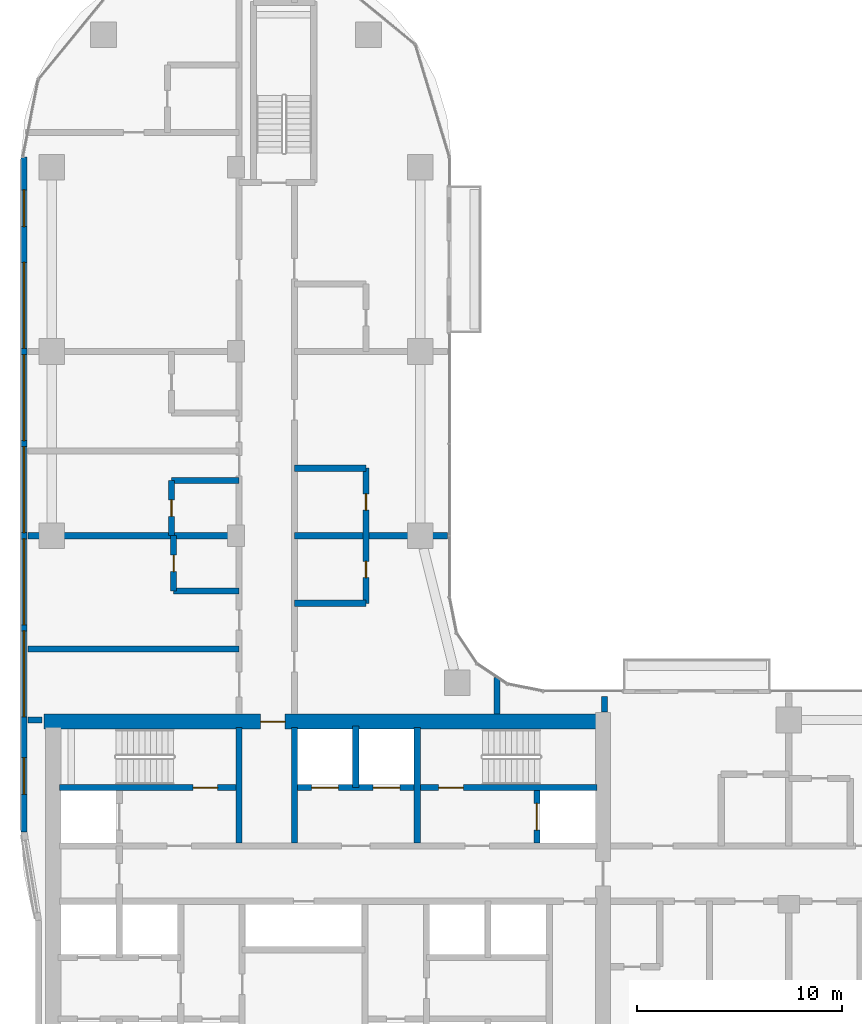
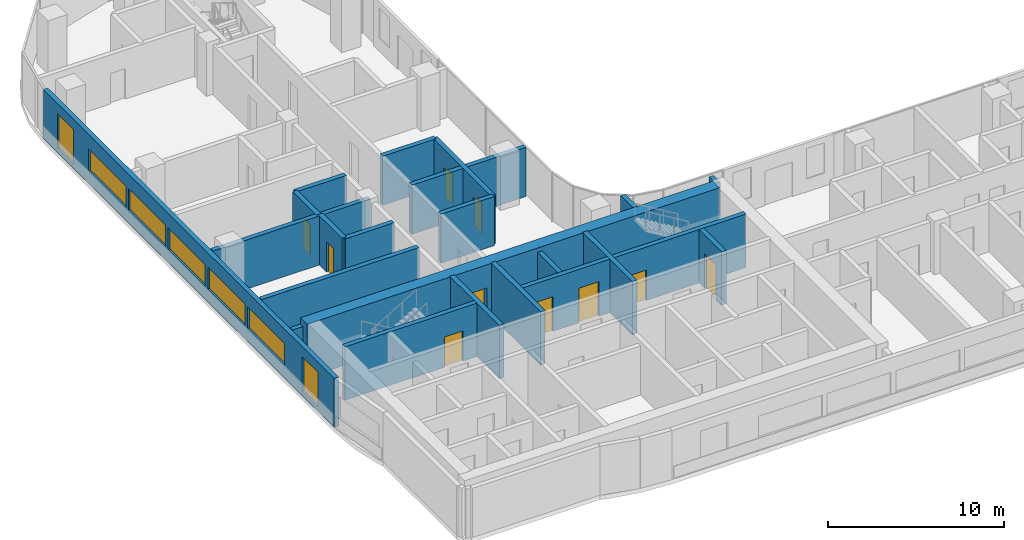
# One storey, part 8 of 21: 22 walls, 10 doors, 7 windows, 17 openings.
"""IFC4 building model written with IfcOpenShell, lengths in metres."""

from ifc_helpers import new_model, si_unit, direction, frame, frame_2d, origin, place, context, subcontext, project, spatial, rectangle, extrude, material, layer, layer_set, type_object, element, fill, save


model = new_model("IFC4")

# Units and contexts
model_context = context("Model", 3, precision=1e-05, world=origin(), true_north=direction((0.0, 1.0)))
body_context = subcontext(model_context, "Body", "Model", "MODEL_VIEW")
ifc_project = project(units=[si_unit("LENGTHUNIT", "METRE"), si_unit("AREAUNIT", "SQUARE_METRE"), si_unit("VOLUMEUNIT", "CUBIC_METRE"), si_unit("PLANEANGLEUNIT", "RADIAN"), si_unit("MASSUNIT", "GRAM", prefix="KILO")], contexts=[model_context])

# Site, building, storey
site_placement = place(None, origin())
site = spatial("IfcSite", under=ifc_project, at=site_placement, CompositionType="ELEMENT")
building_placement = place(site_placement, origin())
building = spatial("IfcBuilding", under=site, at=building_placement, Name="Ogive Portal Towers", CompositionType="ELEMENT")
storey_placement = place(building_placement, frame((0.0, 0.0, 109.300048828125)))
storey = spatial("IfcBuildingStorey", under=building, at=storey_placement, Name="L26", CompositionType="ELEMENT", Elevation=109.300048828125)

# Wall, opening, door
ifc_material_1 = material(Name="Concrete C60/75", Category="concrete")
ifc_layer_1 = layer(ifc_material_1, 0.300048828125)
ifc_layer_set_1 = layer_set([ifc_layer_1], Name="CORE WALL 300 C60")
wall_type_1 = type_object("IfcWallType", Name="CORE WALL 300 C60", PredefinedType="SHEAR", material=ifc_layer_set_1)
wall_1_placement = place(storey_placement, frame((31.875, 36.199951171875, 0.0), z_axis=(0.0, 0.0, 1.0), x_axis=(1.0, 0.0, 0.0)))
wall_1 = element("IfcWall", 1, at=wall_1_placement, inside=storey, type_object=wall_type_1, Name="Core wall Y3a L26", PredefinedType="SHEAR", context=body_context, shape_type="SweptSolid", body=[
    extrude(rectangle(XDim=8.625, YDim=0.300048828125, at=frame_2d((4.3125, 0.0))), origin(), (0.0, 0.0, 1.0), 3.699951171875),
])
opening_1_placement = place(wall_1_placement, frame((6.52490234375, 0.0, 0.0)))
opening_1 = element("IfcOpeningElement", 2, at=opening_1_placement, cuts=wall_1, Name="Opening D09-005", PredefinedType="OPENING", context=body_context, shape_type="SweptSolid", body=[
    extrude(rectangle(XDim=1.199951171875, YDim=2.10009765625, at=frame_2d((0.60009765625, 1.050048828125))), frame((0.0, 0.16015625, 0.0), z_axis=(0.0, -1.0, 0.0), x_axis=(1.0, 0.0, 0.0)), (0.0, 0.0, 1.0), 0.320068359375),
])
ifc_material_2 = material(Name="Steel fire door", Category="steel")
door_type_1 = type_object("IfcDoorType", Name="DT-SWING-1200x2100-FD90S", OperationType="SINGLE_SWING_LEFT", PredefinedType="DOOR", material=ifc_material_2)
door_1_placement = place(opening_1_placement, origin())
door_1 = element("IfcDoor", 3, at=door_1_placement, inside=storey, type_object=door_type_1, Name="Door D09-005", OperationType="SINGLE_SWING_RIGHT", OverallHeight=2.10009765625, OverallWidth=1.199951171875, PredefinedType="DOOR", context=body_context, shape_type="SweptSolid", body=[
    extrude(rectangle(XDim=1.199951171875, YDim=2.10009765625, at=frame_2d((0.60009765625, 1.050048828125))), frame((0.0, 0.02490234375, 0.0), z_axis=(0.0, -1.0, 0.0), x_axis=(1.0, 0.0, 0.0)), (0.0, 0.0, 1.0), 0.050048828125),
])
fill(opening_1, door_1)

# Wall, openings, doors
wall_2_placement = place(storey_placement, frame((43.5, 36.199951171875, 0.0), z_axis=(0.0, 0.0, 1.0), x_axis=(1.0, 0.0, 0.0)))
wall_2 = element("IfcWall", 4, at=wall_2_placement, inside=storey, type_object=wall_type_1, Name="Core wall Y3b L26", PredefinedType="SHEAR", context=body_context, shape_type="SweptSolid", body=[
    extrude(rectangle(XDim=14.625, YDim=0.300048828125, at=frame_2d((7.3125, 0.0))), origin(), (0.0, 0.0, 1.0), 3.699951171875),
])
opening_2_placement = place(wall_2_placement, frame((6.89990234375, 0.0, 0.0)))
opening_2 = element("IfcOpeningElement", 5, at=opening_2_placement, cuts=wall_2, Name="Opening D09-006", PredefinedType="OPENING", context=body_context, shape_type="SweptSolid", body=[
    extrude(rectangle(XDim=1.199951171875, YDim=2.10009765625, at=frame_2d((0.60009765625, 1.050048828125))), frame((0.0, 0.16015625, 0.0), z_axis=(0.0, -1.0, 0.0), x_axis=(1.0, 0.0, 0.0)), (0.0, 0.0, 1.0), 0.320068359375),
])
opening_3_placement = place(wall_2_placement, frame((0.699951171875, 0.0, 0.0)))
opening_3 = element("IfcOpeningElement", 6, at=opening_3_placement, cuts=wall_2, Name="Opening D09-016", PredefinedType="OPENING", context=body_context, shape_type="SweptSolid", body=[
    extrude(rectangle(XDim=1.300048828125, YDim=2.39990234375, at=frame_2d((0.64990234375, 1.199951171875))), frame((0.0, 0.16015625, 0.0), z_axis=(0.0, -1.0, 0.0), x_axis=(1.0, 0.0, 0.0)), (0.0, 0.0, 1.0), 0.320068359375),
])
opening_4_placement = place(wall_2_placement, frame((3.699951171875, 0.0, 0.0)))
opening_4 = element("IfcOpeningElement", 7, at=opening_4_placement, cuts=wall_2, Name="Opening D09-017", PredefinedType="OPENING", context=body_context, shape_type="SweptSolid", body=[
    extrude(rectangle(XDim=1.300048828125, YDim=2.39990234375, at=frame_2d((0.64990234375, 1.199951171875))), frame((0.0, 0.16015625, 0.0), z_axis=(0.0, -1.0, 0.0), x_axis=(1.0, 0.0, 0.0)), (0.0, 0.0, 1.0), 0.320068359375),
])
ifc_material_3 = material(Name="Stainless steel", Category="steel")
door_type_2 = type_object("IfcDoorType", Name="DT-LD-1300x2400", OperationType="SLIDING_TO_LEFT", PredefinedType="DOOR", material=ifc_material_3)
door_2_placement = place(opening_3_placement, origin())
door_2 = element("IfcDoor", 8, at=door_2_placement, inside=storey, type_object=door_type_2, Name="Door D09-016", OperationType="SLIDING_TO_LEFT", OverallHeight=2.39990234375, OverallWidth=1.300048828125, PredefinedType="DOOR", context=body_context, shape_type="SweptSolid", body=[
    extrude(rectangle(XDim=1.300048828125, YDim=2.39990234375, at=frame_2d((0.64990234375, 1.199951171875))), frame((0.0, 0.02490234375, 0.0), z_axis=(0.0, -1.0, 0.0), x_axis=(1.0, 0.0, 0.0)), (0.0, 0.0, 1.0), 0.050048828125),
])
fill(opening_3, door_2)
door_3_placement = place(opening_4_placement, origin())
door_3 = element("IfcDoor", 9, at=door_3_placement, inside=storey, type_object=door_type_2, Name="Door D09-017", OperationType="SLIDING_TO_LEFT", OverallHeight=2.39990234375, OverallWidth=1.300048828125, PredefinedType="DOOR", context=body_context, shape_type="SweptSolid", body=[
    extrude(rectangle(XDim=1.300048828125, YDim=2.39990234375, at=frame_2d((0.64990234375, 1.199951171875))), frame((0.0, 0.02490234375, 0.0), z_axis=(0.0, -1.0, 0.0), x_axis=(1.0, 0.0, 0.0)), (0.0, 0.0, 1.0), 0.050048828125),
])
fill(opening_4, door_3)
door_4_placement = place(opening_2_placement, origin())
door_4 = element("IfcDoor", 10, at=door_4_placement, inside=storey, type_object=door_type_1, Name="Door D09-006", OperationType="SINGLE_SWING_LEFT", OverallHeight=2.10009765625, OverallWidth=1.199951171875, PredefinedType="DOOR", context=body_context, shape_type="SweptSolid", body=[
    extrude(rectangle(XDim=1.199951171875, YDim=2.10009765625, at=frame_2d((0.60009765625, 1.050048828125))), frame((0.0, 0.02490234375, 0.0), z_axis=(0.0, -1.0, 0.0), x_axis=(1.0, 0.0, 0.0)), (0.0, 0.0, 1.0), 0.050048828125),
])
fill(opening_2, door_4)

# Walls
for number, where, z_axis, x_axis, name in (
    (11, (40.64990234375, 33.5, 0.0), (0.0, 0.0, 1.0), (0.0, 1.0, 0.0), "Core wall X6 L26"),
    (12, (43.35009765625, 33.5, 0.0), (0.0, 0.0, 1.0), (0.0, 1.0, 0.0), "Core wall X7 L26"),
    (13, (49.35009765625, 33.5, 0.0), (0.0, 0.0, 1.0), (0.0, 1.0, 0.0), "Core wall X9 L26"),
):
    element("IfcWall", number, at=place(storey_placement, frame(where, z_axis=z_axis, x_axis=x_axis)), inside=storey, type_object=wall_type_1, Name=name, PredefinedType="SHEAR", context=body_context, shape_type="SweptSolid", body=[
        extrude(rectangle(XDim=5.625, YDim=0.300048828125, at=frame_2d((2.8125, 0.0))), origin(), (0.0, 0.0, 1.0), 3.699951171875),
    ])

# Wall, opening, door
wall_3_placement = place(storey_placement, frame((55.199951171875, 33.5, 0.0), z_axis=(0.0, 0.0, 1.0), x_axis=(0.0, 1.0, 0.0)))
wall_3 = element("IfcWall", 14, at=wall_3_placement, inside=storey, type_object=wall_type_1, Name="Core wall X10 L26", PredefinedType="SHEAR", context=body_context, shape_type="SweptSolid", body=[
    extrude(rectangle(XDim=2.550048828125, YDim=0.300048828125, at=frame_2d((1.27490234375, 0.0))), origin(), (0.0, 0.0, 1.0), 3.699951171875),
])
opening_5_placement = place(wall_3_placement, frame((0.625, 0.0, 0.0)))
opening_5 = element("IfcOpeningElement", 15, at=opening_5_placement, cuts=wall_3, Name="Opening D09-019", PredefinedType="OPENING", context=body_context, shape_type="SweptSolid", body=[
    extrude(rectangle(XDim=1.300048828125, YDim=2.39990234375, at=frame_2d((0.64990234375, 1.199951171875))), frame((0.0, 0.16015625, 0.0), z_axis=(0.0, -1.0, 0.0), x_axis=(1.0, 0.0, 0.0)), (0.0, 0.0, 1.0), 0.320068359375),
])
door_5_placement = place(opening_5_placement, origin())
door_5 = element("IfcDoor", 16, at=door_5_placement, inside=storey, type_object=door_type_2, Name="Door D09-019", OperationType="SLIDING_TO_LEFT", OverallHeight=2.39990234375, OverallWidth=1.300048828125, PredefinedType="DOOR", context=body_context, shape_type="SweptSolid", body=[
    extrude(rectangle(XDim=1.300048828125, YDim=2.39990234375, at=frame_2d((0.64990234375, 1.199951171875))), frame((0.0, 0.02490234375, 0.0), z_axis=(0.0, -1.0, 0.0), x_axis=(1.0, 0.0, 0.0)), (0.0, 0.0, 1.0), 0.050048828125),
])
fill(opening_5, door_5)

ifc_layer_2 = layer(ifc_material_1, 0.75)
ifc_layer_set_2 = layer_set([ifc_layer_2], Name="CORE WALL 750 C60")
wall_type_2 = type_object("IfcWallType", Name="CORE WALL 750 C60", PredefinedType="SHEAR", material=ifc_layer_set_2)
wall_4_placement = place(storey_placement, frame((31.125, 39.425048828125, 0.0), z_axis=(0.0, 0.0, 1.0), x_axis=(1.0, 0.0, 0.0)))
wall_4 = element("IfcWall", 17, at=wall_4_placement, inside=storey, type_object=wall_type_2, Name="Core wall N L26", PredefinedType="SHEAR", context=body_context, shape_type="SweptSolid", body=[
    extrude(rectangle(XDim=27.0, YDim=0.75, at=frame_2d((13.5, 0.0))), origin(), (0.0, 0.0, 1.0), 3.699951171875),
])
opening_6_placement = place(wall_4_placement, frame((10.574951171875, 0.0, 0.0)))
opening_6 = element("IfcOpeningElement", 18, at=opening_6_placement, cuts=wall_4, Name="Opening D09-011", PredefinedType="OPENING", context=body_context, shape_type="SweptSolid", body=[
    extrude(rectangle(XDim=1.199951171875, YDim=2.10009765625, at=frame_2d((0.60009765625, 1.050048828125))), frame((0.0, 0.385009765625, 0.0), z_axis=(0.0, -1.0, 0.0), x_axis=(1.0, 0.0, 0.0)), (0.0, 0.0, 1.0), 0.77001953125),
])
door_6_placement = place(opening_6_placement, origin())
door_6 = element("IfcDoor", 19, at=door_6_placement, inside=storey, type_object=door_type_1, Name="Door D09-011", OperationType="SINGLE_SWING_RIGHT", OverallHeight=2.10009765625, OverallWidth=1.199951171875, PredefinedType="DOOR", context=body_context, shape_type="SweptSolid", body=[
    extrude(rectangle(XDim=1.199951171875, YDim=2.10009765625, at=frame_2d((0.60009765625, 1.050048828125))), frame((0.0, 0.02490234375, 0.0), z_axis=(0.0, -1.0, 0.0), x_axis=(1.0, 0.0, 0.0)), (0.0, 0.0, 1.0), 0.050048828125),
])
fill(opening_6, door_6)

# Wall, openings, windows
ifc_material_4 = material(Name="Limestone cladding on lightweight block wall", Category="masonry")
ifc_layer_3 = layer(ifc_material_4, 0.300048828125)
ifc_layer_set_3 = layer_set([ifc_layer_3], Name="EXTERNAL WALL 300 STONE")
wall_type_3 = type_object("IfcWallType", Name="EXTERNAL WALL 300 STONE", PredefinedType="SOLIDWALL", material=ifc_layer_set_3)
wall_5_placement = place(storey_placement, frame((30.14990234375, 66.9921875, 0.0), z_axis=(0.0, 0.0, 1.0), x_axis=(0.0, -1.0, 0.0)))
wall_5 = element("IfcWall", 20, at=wall_5_placement, inside=storey, type_object=wall_type_3, Name="A:L26:f24:r0:wall", PredefinedType="SOLIDWALL", context=body_context, shape_type="SweptSolid", body=[
    extrude(rectangle(XDim=32.968017578125, YDim=0.300048828125, at=frame_2d((16.48388671875, 0.0))), origin(), (0.0, 0.0, 1.0), 3.39990234375),
])
opening_7_placement = place(wall_5_placement, frame((1.595947265625, 0.0, 0.300048828125)))
opening_7 = element("IfcOpeningElement", 21, at=opening_7_placement, cuts=wall_5, Name="Opening WN10", PredefinedType="OPENING", context=body_context, shape_type="SweptSolid", body=[
    extrude(rectangle(XDim=1.800048828125, YDim=2.39990234375, at=frame_2d((0.89990234375, 1.199951171875))), frame((0.0, 0.16015625, 0.0), z_axis=(0.0, -1.0, 0.0), x_axis=(1.0, 0.0, 0.0)), (0.0, 0.0, 1.0), 0.320068359375),
])
opening_8_placement = place(wall_5_placement, frame((5.14208984375, 0.0, 0.89990234375)))
opening_8 = element("IfcOpeningElement", 22, at=opening_8_placement, cuts=wall_5, Name="Opening WN11", PredefinedType="OPENING", context=body_context, shape_type="SweptSolid", body=[
    extrude(rectangle(XDim=4.199951171875, YDim=1.5, at=frame_2d((2.10009765625, 0.75))), frame((0.0, 0.16015625, 0.0), z_axis=(0.0, -1.0, 0.0), x_axis=(1.0, 0.0, 0.0)), (0.0, 0.0, 1.0), 0.320068359375),
])
opening_9_placement = place(wall_5_placement, frame((9.64208984375, 0.0, 0.89990234375)))
opening_9 = element("IfcOpeningElement", 23, at=opening_9_placement, cuts=wall_5, Name="Opening WN11", PredefinedType="OPENING", context=body_context, shape_type="SweptSolid", body=[
    extrude(rectangle(XDim=4.199951171875, YDim=1.5, at=frame_2d((2.10009765625, 0.75))), frame((0.0, 0.16015625, 0.0), z_axis=(0.0, -1.0, 0.0), x_axis=(1.0, 0.0, 0.0)), (0.0, 0.0, 1.0), 0.320068359375),
])
opening_10_placement = place(wall_5_placement, frame((14.14208984375, 0.0, 0.89990234375)))
opening_10 = element("IfcOpeningElement", 24, at=opening_10_placement, cuts=wall_5, Name="Opening WN11", PredefinedType="OPENING", context=body_context, shape_type="SweptSolid", body=[
    extrude(rectangle(XDim=4.199951171875, YDim=1.5, at=frame_2d((2.10009765625, 0.75))), frame((0.0, 0.16015625, 0.0), z_axis=(0.0, -1.0, 0.0), x_axis=(1.0, 0.0, 0.0)), (0.0, 0.0, 1.0), 0.320068359375),
])
opening_11_placement = place(wall_5_placement, frame((18.64208984375, 0.0, 0.89990234375)))
opening_11 = element("IfcOpeningElement", 25, at=opening_11_placement, cuts=wall_5, Name="Opening WN11", PredefinedType="OPENING", context=body_context, shape_type="SweptSolid", body=[
    extrude(rectangle(XDim=4.199951171875, YDim=1.5, at=frame_2d((2.10009765625, 0.75))), frame((0.0, 0.16015625, 0.0), z_axis=(0.0, -1.0, 0.0), x_axis=(1.0, 0.0, 0.0)), (0.0, 0.0, 1.0), 0.320068359375),
])
opening_12_placement = place(wall_5_placement, frame((23.14208984375, 0.0, 0.89990234375)))
opening_12 = element("IfcOpeningElement", 26, at=opening_12_placement, cuts=wall_5, Name="Opening WN11", PredefinedType="OPENING", context=body_context, shape_type="SweptSolid", body=[
    extrude(rectangle(XDim=4.199951171875, YDim=1.5, at=frame_2d((2.10009765625, 0.75))), frame((0.0, 0.16015625, 0.0), z_axis=(0.0, -1.0, 0.0), x_axis=(1.0, 0.0, 0.0)), (0.0, 0.0, 1.0), 0.320068359375),
])
opening_13_placement = place(wall_5_placement, frame((29.330078125, 0.0, 0.300048828125)))
opening_13 = element("IfcOpeningElement", 27, at=opening_13_placement, cuts=wall_5, Name="Opening WN10", PredefinedType="OPENING", context=body_context, shape_type="SweptSolid", body=[
    extrude(rectangle(XDim=1.800048828125, YDim=2.39990234375, at=frame_2d((0.89990234375, 1.199951171875))), frame((0.0, 0.16015625, 0.0), z_axis=(0.0, -1.0, 0.0), x_axis=(1.0, 0.0, 0.0)), (0.0, 0.0, 1.0), 0.320068359375),
])
ifc_material_5 = material(Name="Glass, clear low-iron insulated glazing", Category="glass")
window_type_1 = type_object("IfcWindowType", Name="WINDOW RIBBON 4200x1500", PartitioningType="TRIPLE_PANEL_VERTICAL", PredefinedType="WINDOW", material=ifc_material_5)
window_1_placement = place(opening_8_placement, origin())
window_1 = element("IfcWindow", 28, at=window_1_placement, inside=storey, type_object=window_type_1, Name="A:L26:f24:r0:w1", OverallHeight=1.5, OverallWidth=4.199951171875, PartitioningType="SINGLE_PANEL", PredefinedType="WINDOW", context=body_context, shape_type="SweptSolid", body=[
    extrude(rectangle(XDim=4.199951171875, YDim=1.5, at=frame_2d((2.10009765625, 0.75))), frame((0.0, 0.030029296875, 0.0), z_axis=(0.0, -1.0, 0.0), x_axis=(1.0, 0.0, 0.0)), (0.0, 0.0, 1.0), 0.06005859375),
])
fill(opening_8, window_1)
window_2_placement = place(opening_9_placement, origin())
window_2 = element("IfcWindow", 29, at=window_2_placement, inside=storey, type_object=window_type_1, Name="A:L26:f24:r0:w2", OverallHeight=1.5, OverallWidth=4.199951171875, PartitioningType="SINGLE_PANEL", PredefinedType="WINDOW", context=body_context, shape_type="SweptSolid", body=[
    extrude(rectangle(XDim=4.199951171875, YDim=1.5, at=frame_2d((2.10009765625, 0.75))), frame((0.0, 0.030029296875, 0.0), z_axis=(0.0, -1.0, 0.0), x_axis=(1.0, 0.0, 0.0)), (0.0, 0.0, 1.0), 0.06005859375),
])
fill(opening_9, window_2)
window_3_placement = place(opening_10_placement, origin())
window_3 = element("IfcWindow", 30, at=window_3_placement, inside=storey, type_object=window_type_1, Name="A:L26:f24:r0:w3", OverallHeight=1.5, OverallWidth=4.199951171875, PartitioningType="SINGLE_PANEL", PredefinedType="WINDOW", context=body_context, shape_type="SweptSolid", body=[
    extrude(rectangle(XDim=4.199951171875, YDim=1.5, at=frame_2d((2.10009765625, 0.75))), frame((0.0, 0.030029296875, 0.0), z_axis=(0.0, -1.0, 0.0), x_axis=(1.0, 0.0, 0.0)), (0.0, 0.0, 1.0), 0.06005859375),
])
fill(opening_10, window_3)
window_4_placement = place(opening_11_placement, origin())
window_4 = element("IfcWindow", 31, at=window_4_placement, inside=storey, type_object=window_type_1, Name="A:L26:f24:r0:w4", OverallHeight=1.5, OverallWidth=4.199951171875, PartitioningType="SINGLE_PANEL", PredefinedType="WINDOW", context=body_context, shape_type="SweptSolid", body=[
    extrude(rectangle(XDim=4.199951171875, YDim=1.5, at=frame_2d((2.10009765625, 0.75))), frame((0.0, 0.030029296875, 0.0), z_axis=(0.0, -1.0, 0.0), x_axis=(1.0, 0.0, 0.0)), (0.0, 0.0, 1.0), 0.06005859375),
])
fill(opening_11, window_4)
window_5_placement = place(opening_12_placement, origin())
window_5 = element("IfcWindow", 32, at=window_5_placement, inside=storey, type_object=window_type_1, Name="A:L26:f24:r0:w5", OverallHeight=1.5, OverallWidth=4.199951171875, PartitioningType="SINGLE_PANEL", PredefinedType="WINDOW", context=body_context, shape_type="SweptSolid", body=[
    extrude(rectangle(XDim=4.199951171875, YDim=1.5, at=frame_2d((2.10009765625, 0.75))), frame((0.0, 0.030029296875, 0.0), z_axis=(0.0, -1.0, 0.0), x_axis=(1.0, 0.0, 0.0)), (0.0, 0.0, 1.0), 0.06005859375),
])
fill(opening_12, window_5)
window_type_2 = type_object("IfcWindowType", Name="WINDOW SUITE CORNER 1800x2400", PartitioningType="DOUBLE_PANEL_VERTICAL", PredefinedType="WINDOW", material=ifc_material_5)
window_6_placement = place(opening_7_placement, origin())
window_6 = element("IfcWindow", 33, at=window_6_placement, inside=storey, type_object=window_type_2, Name="A:L26:f24:r0:w0", OverallHeight=2.39990234375, OverallWidth=1.800048828125, PartitioningType="SINGLE_PANEL", PredefinedType="WINDOW", context=body_context, shape_type="SweptSolid", body=[
    extrude(rectangle(XDim=1.800048828125, YDim=2.39990234375, at=frame_2d((0.89990234375, 1.199951171875))), frame((0.0, 0.030029296875, 0.0), z_axis=(0.0, -1.0, 0.0), x_axis=(1.0, 0.0, 0.0)), (0.0, 0.0, 1.0), 0.06005859375),
])
fill(opening_7, window_6)
window_7_placement = place(opening_13_placement, origin())
window_7 = element("IfcWindow", 34, at=window_7_placement, inside=storey, type_object=window_type_2, Name="A:L26:f24:r0:w6", OverallHeight=2.39990234375, OverallWidth=1.800048828125, PartitioningType="SINGLE_PANEL", PredefinedType="WINDOW", context=body_context, shape_type="SweptSolid", body=[
    extrude(rectangle(XDim=1.800048828125, YDim=2.39990234375, at=frame_2d((0.89990234375, 1.199951171875))), frame((0.0, 0.030029296875, 0.0), z_axis=(0.0, -1.0, 0.0), x_axis=(1.0, 0.0, 0.0)), (0.0, 0.0, 1.0), 0.06005859375),
])
fill(opening_13, window_7)

# Walls
ifc_material_6 = material(Name="Gypsum board partition on steel studs", Category="steel")
ifc_layer_4 = layer(ifc_material_6, 0.300048828125)
ifc_layer_set_4 = layer_set([ifc_layer_4], Name="WT-PART-300-EI 60")
wall_type_4 = type_object("IfcWallType", Name="WT-PART-300-EI 60", PredefinedType="PARTITIONING", material=ifc_layer_set_4)
wall_6_placement = place(storey_placement, frame((30.35009765625, 39.5, 0.0), z_axis=(0.0, 0.0, 1.0), x_axis=(1.0, 0.0, 0.0)))
element("IfcWall", 35, at=wall_6_placement, inside=storey, type_object=wall_type_4, Name="Wall L26:w015", PredefinedType="PARTITIONING", context=body_context, shape_type="SweptSolid", body=[
    extrude(rectangle(XDim=0.679931640625, YDim=0.300048828125, at=frame_2d((0.33984375, 0.0))), origin(), (0.0, 0.0, 1.0), 3.39990234375),
])
wall_7_placement = place(storey_placement, frame((30.35009765625, 42.969970703125, 0.0), z_axis=(0.0, 0.0, 1.0), x_axis=(1.0, 0.0, 0.0)))
element("IfcWall", 36, at=wall_7_placement, inside=storey, type_object=wall_type_4, Name="Wall L26:w016", PredefinedType="PARTITIONING", context=body_context, shape_type="SweptSolid", body=[
    extrude(rectangle(XDim=10.2998046875, YDim=0.300048828125, at=frame_2d((5.14990234375, 0.0))), origin(), (0.0, 0.0, 1.0), 3.39990234375),
])
wall_8_placement = place(storey_placement, frame((43.35009765625, 45.199951171875, 0.0), z_axis=(0.0, 0.0, 1.0), x_axis=(1.0, 0.0, 0.0)))
element("IfcWall", 37, at=wall_8_placement, inside=storey, type_object=wall_type_4, Name="Wall L26:w017", PredefinedType="PARTITIONING", context=body_context, shape_type="SweptSolid", body=[
    extrude(rectangle(XDim=3.5, YDim=0.300048828125, at=frame_2d((1.75, 0.0))), origin(), (0.0, 0.0, 1.0), 3.39990234375),
])
wall_9_placement = place(storey_placement, frame((37.449951171875, 45.800048828125, 0.0), z_axis=(0.0, 0.0, 1.0), x_axis=(1.0, 0.0, 0.0)))
element("IfcWall", 38, at=wall_9_placement, inside=storey, type_object=wall_type_4, Name="Wall L26:w018", PredefinedType="PARTITIONING", context=body_context, shape_type="SweptSolid", body=[
    extrude(rectangle(XDim=3.199951171875, YDim=0.300048828125, at=frame_2d((1.60009765625, 0.0))), origin(), (0.0, 0.0, 1.0), 3.39990234375),
])
wall_10_placement = place(storey_placement, frame((30.35009765625, 48.5, 0.0), z_axis=(0.0, 0.0, 1.0), x_axis=(1.0, 0.0, 0.0)))
element("IfcWall", 39, at=wall_10_placement, inside=storey, type_object=wall_type_4, Name="Wall L26:w019", PredefinedType="PARTITIONING", context=body_context, shape_type="SweptSolid", body=[
    extrude(rectangle(XDim=10.2998046875, YDim=0.300048828125, at=frame_2d((5.14990234375, 0.0))), origin(), (0.0, 0.0, 1.0), 3.39990234375),
])
wall_11_placement = place(storey_placement, frame((43.35009765625, 48.5, 0.0), z_axis=(0.0, 0.0, 1.0), x_axis=(1.0, 0.0, 0.0)))
element("IfcWall", 40, at=wall_11_placement, inside=storey, type_object=wall_type_4, Name="Wall L26:w020", PredefinedType="PARTITIONING", context=body_context, shape_type="SweptSolid", body=[
    extrude(rectangle(XDim=7.47998046875, YDim=0.300048828125, at=frame_2d((3.739990234375, 0.0))), origin(), (0.0, 0.0, 1.0), 3.39990234375),
])
wall_12_placement = place(storey_placement, frame((37.35009765625, 51.199951171875, 0.0), z_axis=(0.0, 0.0, 1.0), x_axis=(1.0, 0.0, 0.0)))
element("IfcWall", 41, at=wall_12_placement, inside=storey, type_object=wall_type_4, Name="Wall L26:w021", PredefinedType="PARTITIONING", context=body_context, shape_type="SweptSolid", body=[
    extrude(rectangle(XDim=3.2998046875, YDim=0.300048828125, at=frame_2d((1.64990234375, 0.0))), origin(), (0.0, 0.0, 1.0), 3.39990234375),
])
wall_13_placement = place(storey_placement, frame((43.35009765625, 51.800048828125, 0.0), z_axis=(0.0, 0.0, 1.0), x_axis=(1.0, 0.0, 0.0)))
element("IfcWall", 42, at=wall_13_placement, inside=storey, type_object=wall_type_4, Name="Wall L26:w022", PredefinedType="PARTITIONING", context=body_context, shape_type="SweptSolid", body=[
    extrude(rectangle(XDim=3.5, YDim=0.300048828125, at=frame_2d((1.75, 0.0))), origin(), (0.0, 0.0, 1.0), 3.39990234375),
])

# Wall, opening, door
wall_14_placement = place(storey_placement, frame((37.35009765625, 48.5, 0.0), z_axis=(0.0, 0.0, 1.0), x_axis=(0.0, 1.0, 0.0)))
wall_14 = element("IfcWall", 43, at=wall_14_placement, inside=storey, type_object=wall_type_4, Name="Wall L26:w033", PredefinedType="PARTITIONING", context=body_context, shape_type="SweptSolid", body=[
    extrude(rectangle(XDim=2.699951171875, YDim=0.300048828125, at=frame_2d((1.35009765625, 0.0))), origin(), (0.0, 0.0, 1.0), 3.39990234375),
])
opening_14_placement = place(wall_14_placement, frame((0.949951171875, 0.0, 0.0)))
opening_14 = element("IfcOpeningElement", 44, at=opening_14_placement, cuts=wall_14, Name="Opening D09-049", PredefinedType="OPENING", context=body_context, shape_type="SweptSolid", body=[
    extrude(rectangle(XDim=0.800048828125, YDim=2.10009765625, at=frame_2d((0.39990234375, 1.050048828125))), frame((0.0, 0.16015625, 0.0), z_axis=(0.0, -1.0, 0.0), x_axis=(1.0, 0.0, 0.0)), (0.0, 0.0, 1.0), 0.320068359375),
])
door_type_3 = type_object("IfcDoorType", Name="DT-BATH-800x2100-FD60S", OperationType="SINGLE_SWING_LEFT", PredefinedType="DOOR", material=ifc_material_2)
door_7_placement = place(opening_14_placement, origin())
door_7 = element("IfcDoor", 45, at=door_7_placement, inside=storey, type_object=door_type_3, Name="Door D09-049", OperationType="SINGLE_SWING_RIGHT", OverallHeight=2.10009765625, OverallWidth=0.800048828125, PredefinedType="DOOR", context=body_context, shape_type="SweptSolid", body=[
    extrude(rectangle(XDim=0.800048828125, YDim=2.10009765625, at=frame_2d((0.39990234375, 1.050048828125))), frame((0.0, 0.02490234375, 0.0), z_axis=(0.0, -1.0, 0.0), x_axis=(1.0, 0.0, 0.0)), (0.0, 0.0, 1.0), 0.050048828125),
])
fill(opening_14, door_7)

wall_15_placement = place(storey_placement, frame((37.449951171875, 45.800048828125, 0.0), z_axis=(0.0, 0.0, 1.0), x_axis=(0.0, 1.0, 0.0)))
wall_15 = element("IfcWall", 46, at=wall_15_placement, inside=storey, type_object=wall_type_4, Name="Wall L26:w035", PredefinedType="PARTITIONING", context=body_context, shape_type="SweptSolid", body=[
    extrude(rectangle(XDim=2.699951171875, YDim=0.300048828125, at=frame_2d((1.35009765625, 0.0))), origin(), (0.0, 0.0, 1.0), 3.39990234375),
])
opening_15_placement = place(wall_15_placement, frame((0.949951171875, 0.0, 0.0)))
opening_15 = element("IfcOpeningElement", 47, at=opening_15_placement, cuts=wall_15, Name="Opening D09-045", PredefinedType="OPENING", context=body_context, shape_type="SweptSolid", body=[
    extrude(rectangle(XDim=0.800048828125, YDim=2.10009765625, at=frame_2d((0.39990234375, 1.050048828125))), frame((0.0, 0.16015625, 0.0), z_axis=(0.0, -1.0, 0.0), x_axis=(1.0, 0.0, 0.0)), (0.0, 0.0, 1.0), 0.320068359375),
])
door_8_placement = place(opening_15_placement, origin())
door_8 = element("IfcDoor", 48, at=door_8_placement, inside=storey, type_object=door_type_3, Name="Door D09-045", OperationType="SINGLE_SWING_LEFT", OverallHeight=2.10009765625, OverallWidth=0.800048828125, PredefinedType="DOOR", context=body_context, shape_type="SweptSolid", body=[
    extrude(rectangle(XDim=0.800048828125, YDim=2.10009765625, at=frame_2d((0.39990234375, 1.050048828125))), frame((0.0, 0.02490234375, 0.0), z_axis=(0.0, -1.0, 0.0), x_axis=(1.0, 0.0, 0.0)), (0.0, 0.0, 1.0), 0.050048828125),
])
fill(opening_15, door_8)

# Wall, openings, doors
wall_16_placement = place(storey_placement, frame((46.85009765625, 45.199951171875, 0.0), z_axis=(0.0, 0.0, 1.0), x_axis=(0.0, 1.0, 0.0)))
wall_16 = element("IfcWall", 49, at=wall_16_placement, inside=storey, type_object=wall_type_4, Name="Wall L26:w041", PredefinedType="PARTITIONING", context=body_context, shape_type="SweptSolid", body=[
    extrude(rectangle(XDim=6.60009765625, YDim=0.300048828125, at=frame_2d((3.300048828125, 0.0))), origin(), (0.0, 0.0, 1.0), 3.39990234375),
])
opening_16_placement = place(wall_16_placement, frame((1.25, 0.0, 0.0)))
opening_16 = element("IfcOpeningElement", 50, at=opening_16_placement, cuts=wall_16, Name="Opening D09-042", PredefinedType="OPENING", context=body_context, shape_type="SweptSolid", body=[
    extrude(rectangle(XDim=0.800048828125, YDim=2.10009765625, at=frame_2d((0.39990234375, 1.050048828125))), frame((0.0, 0.16015625, 0.0), z_axis=(0.0, -1.0, 0.0), x_axis=(1.0, 0.0, 0.0)), (0.0, 0.0, 1.0), 0.320068359375),
])
opening_17_placement = place(wall_16_placement, frame((4.550048828125, 0.0, 0.0)))
opening_17 = element("IfcOpeningElement", 51, at=opening_17_placement, cuts=wall_16, Name="Opening D09-047", PredefinedType="OPENING", context=body_context, shape_type="SweptSolid", body=[
    extrude(rectangle(XDim=0.800048828125, YDim=2.10009765625, at=frame_2d((0.39990234375, 1.050048828125))), frame((0.0, 0.16015625, 0.0), z_axis=(0.0, -1.0, 0.0), x_axis=(1.0, 0.0, 0.0)), (0.0, 0.0, 1.0), 0.320068359375),
])
door_9_placement = place(opening_16_placement, origin())
door_9 = element("IfcDoor", 52, at=door_9_placement, inside=storey, type_object=door_type_3, Name="Door D09-042", OperationType="SINGLE_SWING_LEFT", OverallHeight=2.10009765625, OverallWidth=0.800048828125, PredefinedType="DOOR", context=body_context, shape_type="SweptSolid", body=[
    extrude(rectangle(XDim=0.800048828125, YDim=2.10009765625, at=frame_2d((0.39990234375, 1.050048828125))), frame((0.0, 0.02490234375, 0.0), z_axis=(0.0, -1.0, 0.0), x_axis=(1.0, 0.0, 0.0)), (0.0, 0.0, 1.0), 0.050048828125),
])
fill(opening_16, door_9)
door_10_placement = place(opening_17_placement, origin())
door_10 = element("IfcDoor", 53, at=door_10_placement, inside=storey, type_object=door_type_3, Name="Door D09-047", OperationType="SINGLE_SWING_LEFT", OverallHeight=2.10009765625, OverallWidth=0.800048828125, PredefinedType="DOOR", context=body_context, shape_type="SweptSolid", body=[
    extrude(rectangle(XDim=0.800048828125, YDim=2.10009765625, at=frame_2d((0.39990234375, 1.050048828125))), frame((0.0, 0.02490234375, 0.0), z_axis=(0.0, -1.0, 0.0), x_axis=(1.0, 0.0, 0.0)), (0.0, 0.0, 1.0), 0.050048828125),
])
fill(opening_17, door_10)

# Walls
wall_17_placement = place(storey_placement, frame((53.25, 39.800048828125, 0.0), z_axis=(0.0, 0.0, 1.0), x_axis=(0.0, 1.0, 0.0)))
element("IfcWall", 54, at=wall_17_placement, inside=storey, type_object=wall_type_4, Name="Wall L26:w043", PredefinedType="PARTITIONING", context=body_context, shape_type="SweptSolid", body=[
    extrude(rectangle(XDim=1.764892578125, YDim=0.300048828125, at=frame_2d((0.88232421875, 0.0))), origin(), (0.0, 0.0, 1.0), 3.39990234375),
])
wall_18_placement = place(storey_placement, frame((58.5, 39.8798828125, 0.0), z_axis=(0.0, 0.0, 1.0), x_axis=(0.0, 1.0, 0.0)))
element("IfcWall", 55, at=wall_18_placement, inside=storey, type_object=wall_type_4, Name="Wall L26:w045", PredefinedType="PARTITIONING", context=body_context, shape_type="SweptSolid", body=[
    extrude(rectangle(XDim=0.77001953125, YDim=0.300048828125, at=frame_2d((0.385009765625, 0.0))), origin(), (0.0, 0.0, 1.0), 3.39990234375),
])
ifc_material_7 = material(Name="Concrete C40/50", Category="concrete")
ifc_layer_5 = layer(ifc_material_7, 0.300048828125)
ifc_layer_set_5 = layer_set([ifc_layer_5], Name="WT-SHAFT-300")
wall_type_5 = type_object("IfcWallType", Name="WT-SHAFT-300", PredefinedType="SOLIDWALL", material=ifc_layer_set_5)
wall_19_placement = place(storey_placement, frame((46.35009765625, 36.199951171875, 0.0), z_axis=(0.0, 0.0, 1.0), x_axis=(0.0, 1.0, 0.0)))
element("IfcWall", 56, at=wall_19_placement, inside=storey, type_object=wall_type_5, Name="Wall pw:008:L26", PredefinedType="SOLIDWALL", context=body_context, shape_type="SweptSolid", body=[
    extrude(rectangle(XDim=3.0, YDim=0.300048828125, at=frame_2d((1.5, 0.0))), origin(), (0.0, 0.0, 1.0), 3.39990234375),
])

save(model, "model.ifc")
